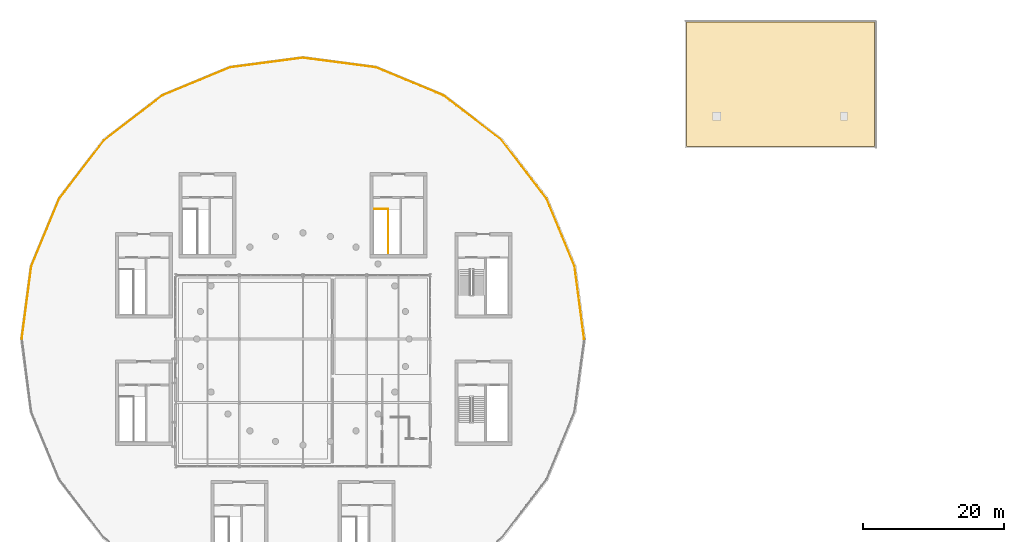
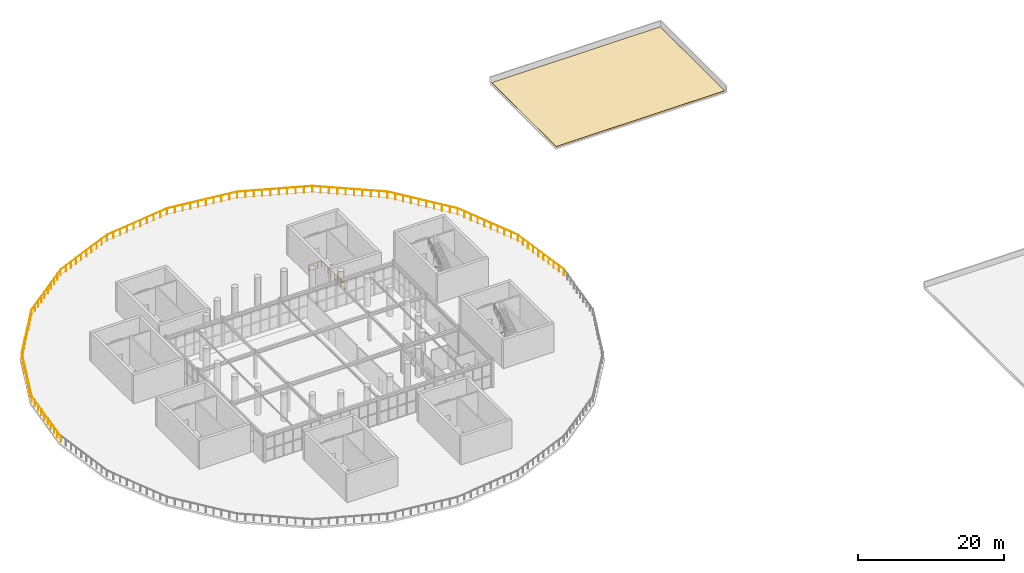
# One storey, part 29 of 29: 2 railings, 1 covering.
"""IFC4 building model written with IfcOpenShell, lengths in metres."""

from ifc_helpers import new_model, si_unit, direction, frame, origin, origin_2d, place, context, subcontext, project, spatial, polyline, circle, outline, extrude, material, layer, layer_set, type_object, element, save


model = new_model("IFC4")

# Units and contexts
model_context = context("Model", 3, precision=1e-05, world=origin(), true_north=direction((0.0, 1.0)))
body_context = subcontext(model_context, "Body", "Model", "MODEL_VIEW")
ifc_project = project(units=[si_unit("LENGTHUNIT", "METRE"), si_unit("AREAUNIT", "SQUARE_METRE"), si_unit("VOLUMEUNIT", "CUBIC_METRE"), si_unit("PLANEANGLEUNIT", "RADIAN"), si_unit("MASSUNIT", "GRAM", prefix="KILO")], contexts=[model_context])

# Site, building, storey
site_placement = place(None, origin())
site = spatial("IfcSite", under=ifc_project, at=site_placement, CompositionType="ELEMENT")
building_placement = place(site_placement, origin())
building = spatial("IfcBuilding", under=site, at=building_placement, Name="Dornveld Trade and Exhibition Forum", CompositionType="ELEMENT")
storey_placement = place(building_placement, frame((0.0, 0.0, 21.60009765625)))
storey = spatial("IfcBuildingStorey", under=building, at=storey_placement, Name="L04", CompositionType="ELEMENT", Elevation=21.60009765625)

# Covering
ifc_material_1 = material(Name="Standing-seam zinc roofing and rigid insulation", Category="metal")
ifc_layer = layer(ifc_material_1, 0.06005859375)
ifc_layer_set = layer_set([ifc_layer], Name="Standing-seam zinc roofing and rigid insulation")
covering_type = type_object("IfcCoveringType", Name="COV-ROOF-ZINC", PredefinedType="ROOFING", material=ifc_layer_set)
covering_placement = place(storey_placement, origin())
element("IfcCovering", 1, at=covering_placement, inside=storey, type_object=covering_type, Name="L04 standing-seam zinc roof finish 4", PredefinedType="ROOFING", context=body_context, shape_type="SweptSolid", body=[
    extrude(outline(polyline([(171.199951171875, 108.199951171875), (197.800048828125, 108.199951171875), (197.800048828125, 125.800048828125), (171.199951171875, 125.800048828125), (171.199951171875, 108.199951171875)])), origin(), (0.0, 0.0, 1.0), 0.059814453125),
])

# Railings
ifc_material_2 = material(Name="Dark-bronze steel and laminated glass balustrade", Category="steel")
railing_type_1 = type_object("IfcRailingType", Name="RL-BALUST-CONC", PredefinedType="BALUSTRADE", material=ifc_material_2)
railing_1_placement = place(storey_placement, frame((156.75, 81.0, 0.0)))
element("IfcRailing", 2, at=railing_1_placement, inside=storey, type_object=railing_type_1, Name="L04 protective edge guard 1", PredefinedType="BALUSTRADE", context=body_context, shape_type="SweptSolid", body=[
    extrude(circle(Radius=0.02490234375, at=origin_2d()), frame((0.0, 0.0, 1.09521484375), z_axis=(-0.130529979231, 0.991444362797, 0.0), x_axis=(-0.991444362797, -0.130529979231, 0.0)), (0.0, 0.0, 1.0), 10.376953125),
    extrude(circle(Radius=0.02490234375, at=origin_2d()), frame((-1.3544921875, 10.2880859375, 1.09521484375), z_axis=(-0.382676641254, 0.923882345452, 0.0), x_axis=(-0.923882345452, -0.382676641254, 0.0)), (0.0, 0.0, 1.0), 10.376708984375),
    extrude(circle(Radius=0.02490234375, at=origin_2d()), frame((-5.325439453125, 19.875, 1.09521484375), z_axis=(-0.608772297796, 0.793345000259, 0.0), x_axis=(-0.793345000259, -0.608772297796, 0.0)), (0.0, 0.0, 1.0), 10.376953125),
    extrude(circle(Radius=0.02490234375, at=origin_2d()), frame((-11.642578125, 28.107421875, 1.09521484375), z_axis=(-0.793345000259, 0.608772297796, 0.0), x_axis=(-0.608772297796, -0.793345000259, 0.0)), (0.0, 0.0, 1.0), 10.376953125),
    extrude(circle(Radius=0.02490234375, at=origin_2d()), frame((-19.875, 34.424560546875, 1.09521484375), z_axis=(-0.923882345452, 0.382676641254, 0.0), x_axis=(-0.382676641254, -0.923882345452, 0.0)), (0.0, 0.0, 1.0), 10.376708984375),
    extrude(circle(Radius=0.02490234375, at=origin_2d()), frame((-29.4619140625, 38.3955078125, 1.09521484375), z_axis=(-0.991444362797, 0.130529979231, 0.0), x_axis=(-0.130529979231, -0.991444362797, 0.0)), (0.0, 0.0, 1.0), 10.376953125),
    extrude(circle(Radius=0.02490234375, at=origin_2d()), frame((-39.75, 39.75, 1.09521484375), z_axis=(-0.991444362797, -0.130529979231, 0.0), x_axis=(0.130529979231, -0.991444362797, 0.0)), (0.0, 0.0, 1.0), 10.376953125),
    extrude(circle(Radius=0.02490234375, at=origin_2d()), frame((-50.0380859375, 38.3955078125, 1.09521484375), z_axis=(-0.923882345452, -0.382676641254, 0.0), x_axis=(0.382676641254, -0.923882345452, 0.0)), (0.0, 0.0, 1.0), 10.376708984375),
    extrude(circle(Radius=0.02490234375, at=origin_2d()), frame((-59.625, 34.424560546875, 1.09521484375), z_axis=(-0.793345000259, -0.608772297796, 0.0), x_axis=(0.608772297796, -0.793345000259, 0.0)), (0.0, 0.0, 1.0), 10.376953125),
    extrude(circle(Radius=0.02490234375, at=origin_2d()), frame((-67.857421875, 28.107421875, 1.09521484375), z_axis=(-0.608772297796, -0.793345000259, 0.0), x_axis=(0.793345000259, -0.608772297796, 0.0)), (0.0, 0.0, 1.0), 10.376953125),
    extrude(circle(Radius=0.02490234375, at=origin_2d()), frame((-74.174560546875, 19.875, 1.09521484375), z_axis=(-0.382676641254, -0.923882345452, 0.0), x_axis=(0.923882345452, -0.382676641254, 0.0)), (0.0, 0.0, 1.0), 10.376708984375),
    extrude(circle(Radius=0.02490234375, at=origin_2d()), frame((-78.1455078125, 10.2880859375, 1.09521484375), z_axis=(-0.130529979231, -0.991444362797, 0.0), x_axis=(0.991444362797, -0.130529979231, 0.0)), (0.0, 0.0, 1.0), 10.376953125),
    extrude(circle(Radius=0.02099609375, at=origin_2d()), origin(), (0.0, 0.0, 1.0), 1.070068359375),
    extrude(circle(Radius=0.02099609375, at=origin_2d()), frame((-0.150390625, 1.14306640625, 0.0)), (0.0, 0.0, 1.0), 1.070068359375),
    extrude(circle(Radius=0.02099609375, at=origin_2d()), frame((-0.301025390625, 2.2861328125, 0.0)), (0.0, 0.0, 1.0), 1.070068359375),
    extrude(circle(Radius=0.02099609375, at=origin_2d()), frame((-0.451416015625, 3.429443359375, 0.0)), (0.0, 0.0, 1.0), 1.070068359375),
    extrude(circle(Radius=0.02099609375, at=origin_2d()), frame((-0.60205078125, 4.572509765625, 0.0)), (0.0, 0.0, 1.0), 1.070068359375),
    extrude(circle(Radius=0.02099609375, at=origin_2d()), frame((-0.75244140625, 5.715576171875, 0.0)), (0.0, 0.0, 1.0), 1.070068359375),
    extrude(circle(Radius=0.02099609375, at=origin_2d()), frame((-0.903076171875, 6.858642578125, 0.0)), (0.0, 0.0, 1.0), 1.070068359375),
    extrude(circle(Radius=0.02099609375, at=origin_2d()), frame((-1.053466796875, 8.001953125, 0.0)), (0.0, 0.0, 1.0), 1.070068359375),
    extrude(circle(Radius=0.02099609375, at=origin_2d()), frame((-1.2041015625, 9.14501953125, 0.0)), (0.0, 0.0, 1.0), 1.070068359375),
    extrude(circle(Radius=0.02099609375, at=origin_2d()), frame((-1.3544921875, 10.2880859375, 0.0)), (0.0, 0.0, 1.0), 1.070068359375),
    extrude(circle(Radius=0.02099609375, at=origin_2d()), frame((-1.795654296875, 11.353271484375, 0.0)), (0.0, 0.0, 1.0), 1.070068359375),
    extrude(circle(Radius=0.02099609375, at=origin_2d()), frame((-2.23681640625, 12.41845703125, 0.0)), (0.0, 0.0, 1.0), 1.070068359375),
    extrude(circle(Radius=0.02099609375, at=origin_2d()), frame((-2.67822265625, 13.483642578125, 0.0)), (0.0, 0.0, 1.0), 1.070068359375),
    extrude(circle(Radius=0.02099609375, at=origin_2d()), frame((-3.119384765625, 14.548828125, 0.0)), (0.0, 0.0, 1.0), 1.070068359375),
    extrude(circle(Radius=0.02099609375, at=origin_2d()), frame((-3.560546875, 15.6142578125, 0.0)), (0.0, 0.0, 1.0), 1.070068359375),
    extrude(circle(Radius=0.02099609375, at=origin_2d()), frame((-4.001708984375, 16.679443359375, 0.0)), (0.0, 0.0, 1.0), 1.070068359375),
    extrude(circle(Radius=0.02099609375, at=origin_2d()), frame((-4.443115234375, 17.74462890625, 0.0)), (0.0, 0.0, 1.0), 1.070068359375),
    extrude(circle(Radius=0.02099609375, at=origin_2d()), frame((-4.88427734375, 18.809814453125, 0.0)), (0.0, 0.0, 1.0), 1.070068359375),
    extrude(circle(Radius=0.02099609375, at=origin_2d()), frame((-5.325439453125, 19.875, 0.0)), (0.0, 0.0, 1.0), 1.070068359375),
    extrude(circle(Radius=0.02099609375, at=origin_2d()), frame((-6.02734375, 20.789794921875, 0.0)), (0.0, 0.0, 1.0), 1.070068359375),
    extrude(circle(Radius=0.02099609375, at=origin_2d()), frame((-6.729248046875, 21.704345703125, 0.0)), (0.0, 0.0, 1.0), 1.070068359375),
    extrude(circle(Radius=0.02099609375, at=origin_2d()), frame((-7.43115234375, 22.619140625, 0.0)), (0.0, 0.0, 1.0), 1.070068359375),
    extrude(circle(Radius=0.02099609375, at=origin_2d()), frame((-8.133056640625, 23.533935546875, 0.0)), (0.0, 0.0, 1.0), 1.070068359375),
    extrude(circle(Radius=0.02099609375, at=origin_2d()), frame((-8.8349609375, 24.448486328125, 0.0)), (0.0, 0.0, 1.0), 1.070068359375),
    extrude(circle(Radius=0.02099609375, at=origin_2d()), frame((-9.536865234375, 25.36328125, 0.0)), (0.0, 0.0, 1.0), 1.070068359375),
    extrude(circle(Radius=0.02099609375, at=origin_2d()), frame((-10.23876953125, 26.278076171875, 0.0)), (0.0, 0.0, 1.0), 1.070068359375),
    extrude(circle(Radius=0.02099609375, at=origin_2d()), frame((-10.940673828125, 27.192626953125, 0.0)), (0.0, 0.0, 1.0), 1.070068359375),
    extrude(circle(Radius=0.02099609375, at=origin_2d()), frame((-11.642578125, 28.107421875, 0.0)), (0.0, 0.0, 1.0), 1.070068359375),
    extrude(circle(Radius=0.02099609375, at=origin_2d()), frame((-12.557373046875, 28.809326171875, 0.0)), (0.0, 0.0, 1.0), 1.070068359375),
    extrude(circle(Radius=0.02099609375, at=origin_2d()), frame((-13.471923828125, 29.51123046875, 0.0)), (0.0, 0.0, 1.0), 1.070068359375),
    extrude(circle(Radius=0.02099609375, at=origin_2d()), frame((-14.38671875, 30.213134765625, 0.0)), (0.0, 0.0, 1.0), 1.070068359375),
    extrude(circle(Radius=0.02099609375, at=origin_2d()), frame((-15.301513671875, 30.9150390625, 0.0)), (0.0, 0.0, 1.0), 1.070068359375),
    extrude(circle(Radius=0.02099609375, at=origin_2d()), frame((-16.216064453125, 31.616943359375, 0.0)), (0.0, 0.0, 1.0), 1.070068359375),
    extrude(circle(Radius=0.02099609375, at=origin_2d()), frame((-17.130859375, 32.31884765625, 0.0)), (0.0, 0.0, 1.0), 1.070068359375),
    extrude(circle(Radius=0.02099609375, at=origin_2d()), frame((-18.045654296875, 33.020751953125, 0.0)), (0.0, 0.0, 1.0), 1.070068359375),
    extrude(circle(Radius=0.02099609375, at=origin_2d()), frame((-18.960205078125, 33.72265625, 0.0)), (0.0, 0.0, 1.0), 1.070068359375),
    extrude(circle(Radius=0.02099609375, at=origin_2d()), frame((-19.875, 34.424560546875, 0.0)), (0.0, 0.0, 1.0), 1.070068359375),
    extrude(circle(Radius=0.02099609375, at=origin_2d()), frame((-20.940185546875, 34.86572265625, 0.0)), (0.0, 0.0, 1.0), 1.070068359375),
    extrude(circle(Radius=0.02099609375, at=origin_2d()), frame((-22.00537109375, 35.306884765625, 0.0)), (0.0, 0.0, 1.0), 1.070068359375),
    extrude(circle(Radius=0.02099609375, at=origin_2d()), frame((-23.070556640625, 35.748291015625, 0.0)), (0.0, 0.0, 1.0), 1.070068359375),
    extrude(circle(Radius=0.02099609375, at=origin_2d()), frame((-24.1357421875, 36.189453125, 0.0)), (0.0, 0.0, 1.0), 1.070068359375),
    extrude(circle(Radius=0.02099609375, at=origin_2d()), frame((-25.201171875, 36.630615234375, 0.0)), (0.0, 0.0, 1.0), 1.070068359375),
    extrude(circle(Radius=0.02099609375, at=origin_2d()), frame((-26.266357421875, 37.07177734375, 0.0)), (0.0, 0.0, 1.0), 1.070068359375),
    extrude(circle(Radius=0.02099609375, at=origin_2d()), frame((-27.33154296875, 37.51318359375, 0.0)), (0.0, 0.0, 1.0), 1.070068359375),
    extrude(circle(Radius=0.02099609375, at=origin_2d()), frame((-28.396728515625, 37.954345703125, 0.0)), (0.0, 0.0, 1.0), 1.070068359375),
    extrude(circle(Radius=0.02099609375, at=origin_2d()), frame((-29.4619140625, 38.3955078125, 0.0)), (0.0, 0.0, 1.0), 1.070068359375),
    extrude(circle(Radius=0.02099609375, at=origin_2d()), frame((-30.60498046875, 38.5458984375, 0.0)), (0.0, 0.0, 1.0), 1.070068359375),
    extrude(circle(Radius=0.02099609375, at=origin_2d()), frame((-31.748046875, 38.696533203125, 0.0)), (0.0, 0.0, 1.0), 1.070068359375),
    extrude(circle(Radius=0.02099609375, at=origin_2d()), frame((-32.891357421875, 38.846923828125, 0.0)), (0.0, 0.0, 1.0), 1.070068359375),
    extrude(circle(Radius=0.02099609375, at=origin_2d()), frame((-34.034423828125, 38.99755859375, 0.0)), (0.0, 0.0, 1.0), 1.070068359375),
    extrude(circle(Radius=0.02099609375, at=origin_2d()), frame((-35.177490234375, 39.14794921875, 0.0)), (0.0, 0.0, 1.0), 1.070068359375),
    extrude(circle(Radius=0.02099609375, at=origin_2d()), frame((-36.320556640625, 39.298583984375, 0.0)), (0.0, 0.0, 1.0), 1.070068359375),
    extrude(circle(Radius=0.02099609375, at=origin_2d()), frame((-37.4638671875, 39.448974609375, 0.0)), (0.0, 0.0, 1.0), 1.070068359375),
    extrude(circle(Radius=0.02099609375, at=origin_2d()), frame((-38.60693359375, 39.599609375, 0.0)), (0.0, 0.0, 1.0), 1.070068359375),
    extrude(circle(Radius=0.02099609375, at=origin_2d()), frame((-39.75, 39.75, 0.0)), (0.0, 0.0, 1.0), 1.070068359375),
    extrude(circle(Radius=0.02099609375, at=origin_2d()), frame((-40.89306640625, 39.599609375, 0.0)), (0.0, 0.0, 1.0), 1.070068359375),
    extrude(circle(Radius=0.02099609375, at=origin_2d()), frame((-42.0361328125, 39.448974609375, 0.0)), (0.0, 0.0, 1.0), 1.070068359375),
    extrude(circle(Radius=0.02099609375, at=origin_2d()), frame((-43.179443359375, 39.298583984375, 0.0)), (0.0, 0.0, 1.0), 1.070068359375),
    extrude(circle(Radius=0.02099609375, at=origin_2d()), frame((-44.322509765625, 39.14794921875, 0.0)), (0.0, 0.0, 1.0), 1.070068359375),
    extrude(circle(Radius=0.02099609375, at=origin_2d()), frame((-45.465576171875, 38.99755859375, 0.0)), (0.0, 0.0, 1.0), 1.070068359375),
    extrude(circle(Radius=0.02099609375, at=origin_2d()), frame((-46.608642578125, 38.846923828125, 0.0)), (0.0, 0.0, 1.0), 1.070068359375),
    extrude(circle(Radius=0.02099609375, at=origin_2d()), frame((-47.751953125, 38.696533203125, 0.0)), (0.0, 0.0, 1.0), 1.070068359375),
    extrude(circle(Radius=0.02099609375, at=origin_2d()), frame((-48.89501953125, 38.5458984375, 0.0)), (0.0, 0.0, 1.0), 1.070068359375),
    extrude(circle(Radius=0.02099609375, at=origin_2d()), frame((-50.0380859375, 38.3955078125, 0.0)), (0.0, 0.0, 1.0), 1.070068359375),
    extrude(circle(Radius=0.02099609375, at=origin_2d()), frame((-51.103271484375, 37.954345703125, 0.0)), (0.0, 0.0, 1.0), 1.070068359375),
    extrude(circle(Radius=0.02099609375, at=origin_2d()), frame((-52.16845703125, 37.51318359375, 0.0)), (0.0, 0.0, 1.0), 1.070068359375),
    extrude(circle(Radius=0.02099609375, at=origin_2d()), frame((-53.233642578125, 37.07177734375, 0.0)), (0.0, 0.0, 1.0), 1.070068359375),
    extrude(circle(Radius=0.02099609375, at=origin_2d()), frame((-54.298828125, 36.630615234375, 0.0)), (0.0, 0.0, 1.0), 1.070068359375),
    extrude(circle(Radius=0.02099609375, at=origin_2d()), frame((-55.3642578125, 36.189453125, 0.0)), (0.0, 0.0, 1.0), 1.070068359375),
    extrude(circle(Radius=0.02099609375, at=origin_2d()), frame((-56.429443359375, 35.748291015625, 0.0)), (0.0, 0.0, 1.0), 1.070068359375),
    extrude(circle(Radius=0.02099609375, at=origin_2d()), frame((-57.49462890625, 35.306884765625, 0.0)), (0.0, 0.0, 1.0), 1.070068359375),
    extrude(circle(Radius=0.02099609375, at=origin_2d()), frame((-58.559814453125, 34.86572265625, 0.0)), (0.0, 0.0, 1.0), 1.070068359375),
    extrude(circle(Radius=0.02099609375, at=origin_2d()), frame((-59.625, 34.424560546875, 0.0)), (0.0, 0.0, 1.0), 1.070068359375),
    extrude(circle(Radius=0.02099609375, at=origin_2d()), frame((-60.539794921875, 33.72265625, 0.0)), (0.0, 0.0, 1.0), 1.070068359375),
    extrude(circle(Radius=0.02099609375, at=origin_2d()), frame((-61.454345703125, 33.020751953125, 0.0)), (0.0, 0.0, 1.0), 1.070068359375),
    extrude(circle(Radius=0.02099609375, at=origin_2d()), frame((-62.369140625, 32.31884765625, 0.0)), (0.0, 0.0, 1.0), 1.070068359375),
    extrude(circle(Radius=0.02099609375, at=origin_2d()), frame((-63.283935546875, 31.616943359375, 0.0)), (0.0, 0.0, 1.0), 1.070068359375),
    extrude(circle(Radius=0.02099609375, at=origin_2d()), frame((-64.198486328125, 30.9150390625, 0.0)), (0.0, 0.0, 1.0), 1.070068359375),
    extrude(circle(Radius=0.02099609375, at=origin_2d()), frame((-65.11328125, 30.213134765625, 0.0)), (0.0, 0.0, 1.0), 1.070068359375),
    extrude(circle(Radius=0.02099609375, at=origin_2d()), frame((-66.028076171875, 29.51123046875, 0.0)), (0.0, 0.0, 1.0), 1.070068359375),
    extrude(circle(Radius=0.02099609375, at=origin_2d()), frame((-66.942626953125, 28.809326171875, 0.0)), (0.0, 0.0, 1.0), 1.070068359375),
    extrude(circle(Radius=0.02099609375, at=origin_2d()), frame((-67.857421875, 28.107421875, 0.0)), (0.0, 0.0, 1.0), 1.070068359375),
    extrude(circle(Radius=0.02099609375, at=origin_2d()), frame((-68.559326171875, 27.192626953125, 0.0)), (0.0, 0.0, 1.0), 1.070068359375),
    extrude(circle(Radius=0.02099609375, at=origin_2d()), frame((-69.26123046875, 26.278076171875, 0.0)), (0.0, 0.0, 1.0), 1.070068359375),
    extrude(circle(Radius=0.02099609375, at=origin_2d()), frame((-69.963134765625, 25.36328125, 0.0)), (0.0, 0.0, 1.0), 1.070068359375),
    extrude(circle(Radius=0.02099609375, at=origin_2d()), frame((-70.6650390625, 24.448486328125, 0.0)), (0.0, 0.0, 1.0), 1.070068359375),
    extrude(circle(Radius=0.02099609375, at=origin_2d()), frame((-71.366943359375, 23.533935546875, 0.0)), (0.0, 0.0, 1.0), 1.070068359375),
    extrude(circle(Radius=0.02099609375, at=origin_2d()), frame((-72.06884765625, 22.619140625, 0.0)), (0.0, 0.0, 1.0), 1.070068359375),
    extrude(circle(Radius=0.02099609375, at=origin_2d()), frame((-72.770751953125, 21.704345703125, 0.0)), (0.0, 0.0, 1.0), 1.070068359375),
    extrude(circle(Radius=0.02099609375, at=origin_2d()), frame((-73.47265625, 20.789794921875, 0.0)), (0.0, 0.0, 1.0), 1.070068359375),
    extrude(circle(Radius=0.02099609375, at=origin_2d()), frame((-74.174560546875, 19.875, 0.0)), (0.0, 0.0, 1.0), 1.070068359375),
    extrude(circle(Radius=0.02099609375, at=origin_2d()), frame((-74.61572265625, 18.809814453125, 0.0)), (0.0, 0.0, 1.0), 1.070068359375),
    extrude(circle(Radius=0.02099609375, at=origin_2d()), frame((-75.056884765625, 17.74462890625, 0.0)), (0.0, 0.0, 1.0), 1.070068359375),
    extrude(circle(Radius=0.02099609375, at=origin_2d()), frame((-75.498291015625, 16.679443359375, 0.0)), (0.0, 0.0, 1.0), 1.070068359375),
    extrude(circle(Radius=0.02099609375, at=origin_2d()), frame((-75.939453125, 15.6142578125, 0.0)), (0.0, 0.0, 1.0), 1.070068359375),
    extrude(circle(Radius=0.02099609375, at=origin_2d()), frame((-76.380615234375, 14.548828125, 0.0)), (0.0, 0.0, 1.0), 1.070068359375),
    extrude(circle(Radius=0.02099609375, at=origin_2d()), frame((-76.82177734375, 13.483642578125, 0.0)), (0.0, 0.0, 1.0), 1.070068359375),
    extrude(circle(Radius=0.02099609375, at=origin_2d()), frame((-77.26318359375, 12.41845703125, 0.0)), (0.0, 0.0, 1.0), 1.070068359375),
    extrude(circle(Radius=0.02099609375, at=origin_2d()), frame((-77.704345703125, 11.353271484375, 0.0)), (0.0, 0.0, 1.0), 1.070068359375),
    extrude(circle(Radius=0.02099609375, at=origin_2d()), frame((-78.1455078125, 10.2880859375, 0.0)), (0.0, 0.0, 1.0), 1.070068359375),
    extrude(circle(Radius=0.02099609375, at=origin_2d()), frame((-78.2958984375, 9.14501953125, 0.0)), (0.0, 0.0, 1.0), 1.070068359375),
    extrude(circle(Radius=0.02099609375, at=origin_2d()), frame((-78.446533203125, 8.001953125, 0.0)), (0.0, 0.0, 1.0), 1.070068359375),
    extrude(circle(Radius=0.02099609375, at=origin_2d()), frame((-78.596923828125, 6.858642578125, 0.0)), (0.0, 0.0, 1.0), 1.070068359375),
    extrude(circle(Radius=0.02099609375, at=origin_2d()), frame((-78.74755859375, 5.715576171875, 0.0)), (0.0, 0.0, 1.0), 1.070068359375),
    extrude(circle(Radius=0.02099609375, at=origin_2d()), frame((-78.89794921875, 4.572509765625, 0.0)), (0.0, 0.0, 1.0), 1.070068359375),
    extrude(circle(Radius=0.02099609375, at=origin_2d()), frame((-79.048583984375, 3.429443359375, 0.0)), (0.0, 0.0, 1.0), 1.070068359375),
    extrude(circle(Radius=0.02099609375, at=origin_2d()), frame((-79.198974609375, 2.2861328125, 0.0)), (0.0, 0.0, 1.0), 1.070068359375),
    extrude(circle(Radius=0.02099609375, at=origin_2d()), frame((-79.349609375, 1.14306640625, 0.0)), (0.0, 0.0, 1.0), 1.070068359375),
    extrude(circle(Radius=0.02099609375, at=origin_2d()), frame((-79.5, 0.0, 0.0)), (0.0, 0.0, 1.0), 1.070068359375),
])
ifc_material_3 = material(Name="Painted steel S355J2 stair-well guard", Category="steel")
railing_type_2 = type_object("IfcRailingType", Name="RL-WELL-110", PredefinedType="GUARDRAIL", material=ifc_material_3)
railing_2_placement = place(storey_placement, frame((127.080078125, 99.3701171875, 0.0)))
element("IfcRailing", 3, at=railing_2_placement, inside=storey, type_object=railing_type_2, Name="CORE-02 L04 stair-well top guard", PredefinedType="GUARDRAIL", context=body_context, shape_type="SweptSolid", body=[
    extrude(circle(Radius=0.02392578125, at=origin_2d()), frame((0.0, 0.0, 1.076171875), z_axis=(1.0, 0.0, 0.0), x_axis=(0.0, 1.0, 0.0)), (0.0, 0.0, 1.0), 1.969970703125),
    extrude(circle(Radius=0.02392578125, at=origin_2d()), frame((1.969970703125, 0.0, 1.076171875), z_axis=(0.0, -1.0, 0.0), x_axis=(1.0, 0.0, 0.0)), (0.0, 0.0, 1.0), 6.25),
    extrude(circle(Radius=0.02001953125, at=origin_2d()), origin(), (0.0, 0.0, 1.0), 1.052001953125),
    extrude(circle(Radius=0.02001953125, at=origin_2d()), frame((0.65673828125, 0.0, 0.0)), (0.0, 0.0, 1.0), 1.052001953125),
    extrude(circle(Radius=0.02001953125, at=origin_2d()), frame((1.313232421875, 0.0, 0.0)), (0.0, 0.0, 1.0), 1.052001953125),
    extrude(circle(Radius=0.02001953125, at=origin_2d()), frame((1.969970703125, 0.0, 0.0)), (0.0, 0.0, 1.0), 1.052001953125),
    extrude(circle(Radius=0.02001953125, at=origin_2d()), frame((1.969970703125, -0.892822265625, 0.0)), (0.0, 0.0, 1.0), 1.052001953125),
    extrude(circle(Radius=0.02001953125, at=origin_2d()), frame((1.969970703125, -1.78564453125, 0.0)), (0.0, 0.0, 1.0), 1.052001953125),
    extrude(circle(Radius=0.02001953125, at=origin_2d()), frame((1.969970703125, -2.678466796875, 0.0)), (0.0, 0.0, 1.0), 1.052001953125),
    extrude(circle(Radius=0.02001953125, at=origin_2d()), frame((1.969970703125, -3.571533203125, 0.0)), (0.0, 0.0, 1.0), 1.052001953125),
    extrude(circle(Radius=0.02001953125, at=origin_2d()), frame((1.969970703125, -4.46435546875, 0.0)), (0.0, 0.0, 1.0), 1.052001953125),
    extrude(circle(Radius=0.02001953125, at=origin_2d()), frame((1.969970703125, -5.357177734375, 0.0)), (0.0, 0.0, 1.0), 1.052001953125),
    extrude(circle(Radius=0.02001953125, at=origin_2d()), frame((1.969970703125, -6.25, 0.0)), (0.0, 0.0, 1.0), 1.052001953125),
])

save(model, "model.ifc")
